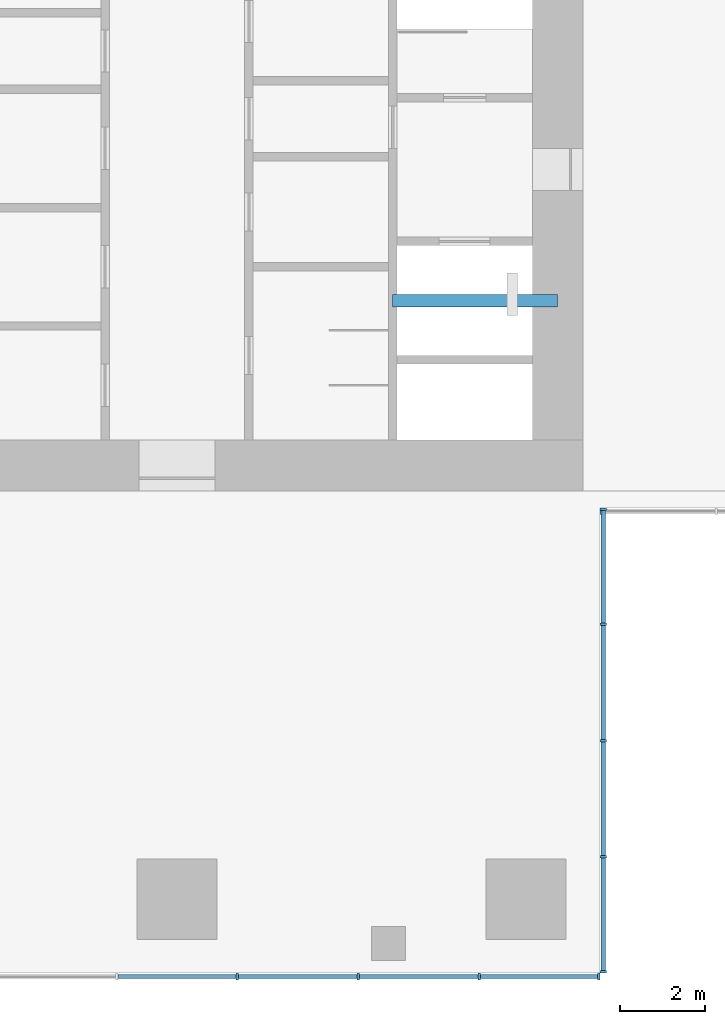
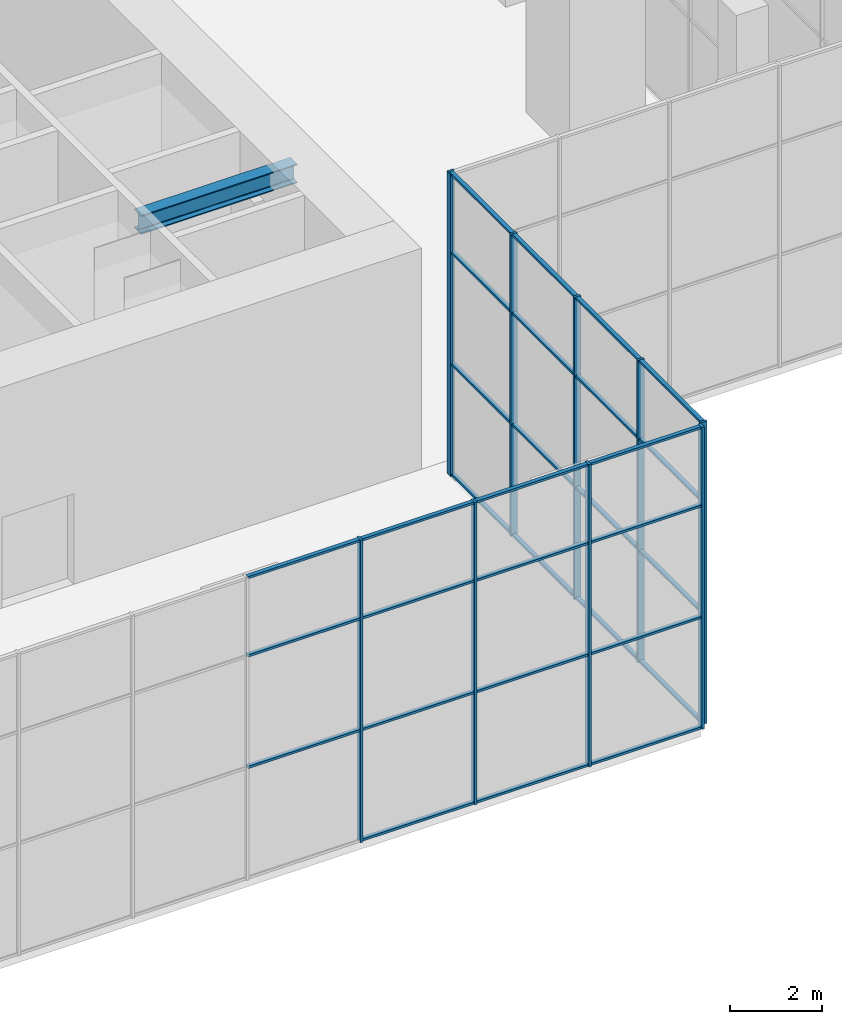
# One storey, part 3 of 12: 41 members, 1 beam, 3 elements without a shape of their own.
"""IFC4 building model written with IfcOpenShell, lengths in metres."""

from ifc_helpers import new_model, si_unit, direction, frame, origin, origin_2d, place, context, subcontext, project, spatial, rectangle, i_section, extrude, material, material_profile, profile_set, type_object, element, aggregate, save


model = new_model("IFC4")

# Units and contexts
model_context = context("Model", 3, precision=1e-05, world=origin(), true_north=direction((0.0, 1.0)))
body_context = subcontext(model_context, "Body", "Model", "MODEL_VIEW")
ifc_project = project(units=[si_unit("LENGTHUNIT", "METRE"), si_unit("AREAUNIT", "SQUARE_METRE"), si_unit("VOLUMEUNIT", "CUBIC_METRE"), si_unit("PLANEANGLEUNIT", "RADIAN"), si_unit("MASSUNIT", "GRAM", prefix="KILO")], contexts=[model_context])

# Site, building, storey
site_placement = place(None, origin())
site = spatial("IfcSite", under=ifc_project, at=site_placement, CompositionType="ELEMENT")
building_placement = place(site_placement, origin())
building = spatial("IfcBuilding", under=site, at=building_placement, Name="Svetlomir Tower", CompositionType="ELEMENT")
storey_placement = place(building_placement, frame((0.0, 0.0, 283.89990234375)))
storey = spatial("IfcBuildingStorey", under=building, at=storey_placement, Name="L67", CompositionType="ELEMENT", Elevation=283.89990234375)

# Curtain wall, members
ifc_material_1 = material(Name="Bronze anodised aluminium curtain wall", Category="aluminium")
curtain_wall_type = type_object("IfcCurtainWallType", Name="CURTAIN WALL CW6 LANTERN", PredefinedType="NOTDEFINED", material=ifc_material_1)
curtain_wall_1_placement = place(storey_placement, origin())
curtain_wall_1 = element("IfcCurtainWall", 1, at=curtain_wall_1_placement, inside=storey, type_object=curtain_wall_type, Name="Curtain wall CW6 L67", PredefinedType="NOTDEFINED")
ifc_material_2 = material(Name="Bronze anodised aluminium", Category="aluminium")
ifc_material_profile_1 = material_profile(ifc_material_2, rectangle(XDim=0.06005859375, YDim=0.159912109375, at=origin_2d()), Name="AL 60x160")
ifc_profile_set_1 = profile_set([ifc_material_profile_1], Name="Bronze anodised aluminium 6063-T6")
member_type_1 = type_object("IfcMemberType", Name="CW6 MULLION 60x160", PredefinedType="MULLION", material=ifc_profile_set_1)
member_1_placement = place(storey_placement, frame((22.428466796875, -0.080078125, 0.0), z_axis=(0.0, 0.0, 1.0), x_axis=(1.0, 0.0, 0.0)))
member_1 = element("IfcMember", 2, at=member_1_placement, type_object=member_type_1, Name="CW6 mullion 5", PredefinedType="MULLION", context=body_context, shape_type="SweptSolid", body=[
    extrude(rectangle(XDim=0.06005859375, YDim=0.159912109375, at=origin_2d()), origin(), (0.0, 0.0, 1.0), 8.0),
])
member_2_placement = place(storey_placement, frame((25.28564453125, -0.080078125, 0.0), z_axis=(0.0, 0.0, 1.0), x_axis=(1.0, 0.0, 0.0)))
member_2 = element("IfcMember", 3, at=member_2_placement, type_object=member_type_1, Name="CW6 mullion 6", PredefinedType="MULLION", context=body_context, shape_type="SweptSolid", body=[
    extrude(rectangle(XDim=0.06005859375, YDim=0.159912109375, at=origin_2d()), origin(), (0.0, 0.0, 1.0), 8.0),
])
member_3_placement = place(storey_placement, frame((28.142822265625, -0.080078125, 0.0), z_axis=(0.0, 0.0, 1.0), x_axis=(1.0, 0.0, 0.0)))
member_3 = element("IfcMember", 4, at=member_3_placement, type_object=member_type_1, Name="CW6 mullion 7", PredefinedType="MULLION", context=body_context, shape_type="SweptSolid", body=[
    extrude(rectangle(XDim=0.06005859375, YDim=0.159912109375, at=origin_2d()), origin(), (0.0, 0.0, 1.0), 8.0),
])
member_4_placement = place(storey_placement, frame((30.969970703125, -0.080078125, 0.0), z_axis=(0.0, 0.0, 1.0), x_axis=(1.0, 0.0, 0.0)))
member_4 = element("IfcMember", 5, at=member_4_placement, type_object=member_type_1, Name="CW6 mullion 8", PredefinedType="MULLION", context=body_context, shape_type="SweptSolid", body=[
    extrude(rectangle(XDim=0.06005859375, YDim=0.159912109375, at=origin_2d()), origin(), (0.0, 0.0, 1.0), 8.0),
])

curtain_wall_2_placement = place(storey_placement, origin())
curtain_wall_2 = element("IfcCurtainWall", 6, at=curtain_wall_2_placement, inside=storey, type_object=curtain_wall_type, Name="Curtain wall CW6 L67", PredefinedType="NOTDEFINED")
member_5_placement = place(storey_placement, frame((31.080078125, 0.030029296875, 0.0), z_axis=(0.0, 0.0, 1.0), x_axis=(0.0, 1.0, 0.0)))
member_5 = element("IfcMember", 7, at=member_5_placement, type_object=member_type_1, Name="CW6 mullion 1", PredefinedType="MULLION", context=body_context, shape_type="SweptSolid", body=[
    extrude(rectangle(XDim=0.06005859375, YDim=0.159912109375, at=origin_2d()), origin(), (0.0, 0.0, 1.0), 8.0),
])
member_6_placement = place(storey_placement, frame((31.080078125, 2.75, 0.0), z_axis=(0.0, 0.0, 1.0), x_axis=(0.0, 1.0, 0.0)))
member_6 = element("IfcMember", 8, at=member_6_placement, type_object=member_type_1, Name="CW6 mullion 2", PredefinedType="MULLION", context=body_context, shape_type="SweptSolid", body=[
    extrude(rectangle(XDim=0.06005859375, YDim=0.159912109375, at=origin_2d()), origin(), (0.0, 0.0, 1.0), 8.0),
])
member_7_placement = place(storey_placement, frame((31.080078125, 5.5, 0.0), z_axis=(0.0, 0.0, 1.0), x_axis=(0.0, 1.0, 0.0)))
member_7 = element("IfcMember", 9, at=member_7_placement, type_object=member_type_1, Name="CW6 mullion 3", PredefinedType="MULLION", context=body_context, shape_type="SweptSolid", body=[
    extrude(rectangle(XDim=0.06005859375, YDim=0.159912109375, at=origin_2d()), origin(), (0.0, 0.0, 1.0), 8.0),
])
member_8_placement = place(storey_placement, frame((31.080078125, 8.25, 0.0), z_axis=(0.0, 0.0, 1.0), x_axis=(0.0, 1.0, 0.0)))
member_8 = element("IfcMember", 10, at=member_8_placement, type_object=member_type_1, Name="CW6 mullion 4", PredefinedType="MULLION", context=body_context, shape_type="SweptSolid", body=[
    extrude(rectangle(XDim=0.06005859375, YDim=0.159912109375, at=origin_2d()), origin(), (0.0, 0.0, 1.0), 8.0),
])
member_9_placement = place(storey_placement, frame((31.080078125, 10.969970703125, 0.0), z_axis=(0.0, 0.0, 1.0), x_axis=(0.0, 1.0, 0.0)))
member_9 = element("IfcMember", 11, at=member_9_placement, type_object=member_type_1, Name="CW6 mullion 5", PredefinedType="MULLION", context=body_context, shape_type="SweptSolid", body=[
    extrude(rectangle(XDim=0.06005859375, YDim=0.159912109375, at=origin_2d()), origin(), (0.0, 0.0, 1.0), 8.0),
])

# Curtain wall, member
curtain_wall_3_placement = place(storey_placement, origin())
curtain_wall_3 = element("IfcCurtainWall", 12, at=curtain_wall_3_placement, inside=storey, type_object=curtain_wall_type, Name="Curtain wall CW6 L67", PredefinedType="NOTDEFINED")
member_10_placement = place(storey_placement, frame((31.030029296875, 10.919921875, 0.0), z_axis=(0.0, 0.0, 1.0), x_axis=(1.0, 0.0, 0.0)))
member_10 = element("IfcMember", 13, at=member_10_placement, type_object=member_type_1, Name="CW6 mullion 1", PredefinedType="MULLION", context=body_context, shape_type="SweptSolid", body=[
    extrude(rectangle(XDim=0.06005859375, YDim=0.159912109375, at=origin_2d()), origin(), (0.0, 0.0, 1.0), 8.0),
])
aggregate(curtain_wall_3, [member_10])

# Member
ifc_material_3 = material(Name="Bronze anodised aluminium", Category="aluminium")
ifc_material_profile_2 = material_profile(ifc_material_3, rectangle(XDim=0.10009765625, YDim=0.06005859375, at=origin_2d()), Name="AL 100x60")
ifc_profile_set_2 = profile_set([ifc_material_profile_2], Name="Bronze anodised aluminium 6063-T6")
member_type_2 = type_object("IfcMemberType", Name="CW6 TRANSOM 60x100", PredefinedType="USERDEFINED", material=ifc_profile_set_2)
member_11_placement = place(storey_placement, frame((19.601318359375, -0.080078125, 2.9501953125), z_axis=(1.0, 0.0, 0.0), x_axis=(0.0, 1.0, 0.0)))
member_11 = element("IfcMember", 14, at=member_11_placement, type_object=member_type_2, Name="CW6 transom 4.2", ObjectType="TRANSOM", PredefinedType="USERDEFINED", context=body_context, shape_type="SweptSolid", body=[
    extrude(rectangle(XDim=0.10009765625, YDim=0.06005859375, at=origin_2d()), origin(), (0.0, 0.0, 1.0), 2.79736328125),
])

member_12_placement = place(storey_placement, frame((19.601318359375, -0.080078125, 5.900146484375), z_axis=(1.0, 0.0, 0.0), x_axis=(0.0, 1.0, 0.0)))
member_12 = element("IfcMember", 15, at=member_12_placement, type_object=member_type_2, Name="CW6 transom 4.3", ObjectType="TRANSOM", PredefinedType="USERDEFINED", context=body_context, shape_type="SweptSolid", body=[
    extrude(rectangle(XDim=0.10009765625, YDim=0.06005859375, at=origin_2d()), origin(), (0.0, 0.0, 1.0), 2.79736328125),
])

member_13_placement = place(storey_placement, frame((19.601318359375, -0.080078125, 7.97021484375), z_axis=(1.0, 0.0, 0.0), x_axis=(0.0, 1.0, 0.0)))
member_13 = element("IfcMember", 16, at=member_13_placement, type_object=member_type_2, Name="CW6 transom 4.4", ObjectType="TRANSOM", PredefinedType="USERDEFINED", context=body_context, shape_type="SweptSolid", body=[
    extrude(rectangle(XDim=0.10009765625, YDim=0.06005859375, at=origin_2d()), origin(), (0.0, 0.0, 1.0), 2.79736328125),
])

member_14_placement = place(storey_placement, frame((22.45849609375, -0.080078125, 0.030029296875), z_axis=(1.0, 0.0, 0.0), x_axis=(0.0, 1.0, 0.0)))
member_14 = element("IfcMember", 17, at=member_14_placement, type_object=member_type_2, Name="CW6 transom 5.1", ObjectType="TRANSOM", PredefinedType="USERDEFINED", context=body_context, shape_type="SweptSolid", body=[
    extrude(rectangle(XDim=0.10009765625, YDim=0.06005859375, at=origin_2d()), origin(), (0.0, 0.0, 1.0), 2.797119140625),
])

member_15_placement = place(storey_placement, frame((22.45849609375, -0.080078125, 2.9501953125), z_axis=(1.0, 0.0, 0.0), x_axis=(0.0, 1.0, 0.0)))
member_15 = element("IfcMember", 18, at=member_15_placement, type_object=member_type_2, Name="CW6 transom 5.2", ObjectType="TRANSOM", PredefinedType="USERDEFINED", context=body_context, shape_type="SweptSolid", body=[
    extrude(rectangle(XDim=0.10009765625, YDim=0.06005859375, at=origin_2d()), origin(), (0.0, 0.0, 1.0), 2.797119140625),
])

member_16_placement = place(storey_placement, frame((22.45849609375, -0.080078125, 5.900146484375), z_axis=(1.0, 0.0, 0.0), x_axis=(0.0, 1.0, 0.0)))
member_16 = element("IfcMember", 19, at=member_16_placement, type_object=member_type_2, Name="CW6 transom 5.3", ObjectType="TRANSOM", PredefinedType="USERDEFINED", context=body_context, shape_type="SweptSolid", body=[
    extrude(rectangle(XDim=0.10009765625, YDim=0.06005859375, at=origin_2d()), origin(), (0.0, 0.0, 1.0), 2.797119140625),
])

member_17_placement = place(storey_placement, frame((22.45849609375, -0.080078125, 7.97021484375), z_axis=(1.0, 0.0, 0.0), x_axis=(0.0, 1.0, 0.0)))
member_17 = element("IfcMember", 20, at=member_17_placement, type_object=member_type_2, Name="CW6 transom 5.4", ObjectType="TRANSOM", PredefinedType="USERDEFINED", context=body_context, shape_type="SweptSolid", body=[
    extrude(rectangle(XDim=0.10009765625, YDim=0.06005859375, at=origin_2d()), origin(), (0.0, 0.0, 1.0), 2.797119140625),
])

member_18_placement = place(storey_placement, frame((25.315673828125, -0.080078125, 0.030029296875), z_axis=(1.0, 0.0, 0.0), x_axis=(0.0, 1.0, 0.0)))
member_18 = element("IfcMember", 21, at=member_18_placement, type_object=member_type_2, Name="CW6 transom 6.1", ObjectType="TRANSOM", PredefinedType="USERDEFINED", context=body_context, shape_type="SweptSolid", body=[
    extrude(rectangle(XDim=0.10009765625, YDim=0.06005859375, at=origin_2d()), origin(), (0.0, 0.0, 1.0), 2.797119140625),
])

member_19_placement = place(storey_placement, frame((25.315673828125, -0.080078125, 2.9501953125), z_axis=(1.0, 0.0, 0.0), x_axis=(0.0, 1.0, 0.0)))
member_19 = element("IfcMember", 22, at=member_19_placement, type_object=member_type_2, Name="CW6 transom 6.2", ObjectType="TRANSOM", PredefinedType="USERDEFINED", context=body_context, shape_type="SweptSolid", body=[
    extrude(rectangle(XDim=0.10009765625, YDim=0.06005859375, at=origin_2d()), origin(), (0.0, 0.0, 1.0), 2.797119140625),
])

member_20_placement = place(storey_placement, frame((25.315673828125, -0.080078125, 5.900146484375), z_axis=(1.0, 0.0, 0.0), x_axis=(0.0, 1.0, 0.0)))
member_20 = element("IfcMember", 23, at=member_20_placement, type_object=member_type_2, Name="CW6 transom 6.3", ObjectType="TRANSOM", PredefinedType="USERDEFINED", context=body_context, shape_type="SweptSolid", body=[
    extrude(rectangle(XDim=0.10009765625, YDim=0.06005859375, at=origin_2d()), origin(), (0.0, 0.0, 1.0), 2.797119140625),
])

member_21_placement = place(storey_placement, frame((25.315673828125, -0.080078125, 7.97021484375), z_axis=(1.0, 0.0, 0.0), x_axis=(0.0, 1.0, 0.0)))
member_21 = element("IfcMember", 24, at=member_21_placement, type_object=member_type_2, Name="CW6 transom 6.4", ObjectType="TRANSOM", PredefinedType="USERDEFINED", context=body_context, shape_type="SweptSolid", body=[
    extrude(rectangle(XDim=0.10009765625, YDim=0.06005859375, at=origin_2d()), origin(), (0.0, 0.0, 1.0), 2.797119140625),
])

member_22_placement = place(storey_placement, frame((28.1728515625, -0.080078125, 0.030029296875), z_axis=(1.0, 0.0, 0.0), x_axis=(0.0, 1.0, 0.0)))
member_22 = element("IfcMember", 25, at=member_22_placement, type_object=member_type_2, Name="CW6 transom 7.1", ObjectType="TRANSOM", PredefinedType="USERDEFINED", context=body_context, shape_type="SweptSolid", body=[
    extrude(rectangle(XDim=0.10009765625, YDim=0.06005859375, at=origin_2d()), origin(), (0.0, 0.0, 1.0), 2.76708984375),
])

member_23_placement = place(storey_placement, frame((28.1728515625, -0.080078125, 2.9501953125), z_axis=(1.0, 0.0, 0.0), x_axis=(0.0, 1.0, 0.0)))
member_23 = element("IfcMember", 26, at=member_23_placement, type_object=member_type_2, Name="CW6 transom 7.2", ObjectType="TRANSOM", PredefinedType="USERDEFINED", context=body_context, shape_type="SweptSolid", body=[
    extrude(rectangle(XDim=0.10009765625, YDim=0.06005859375, at=origin_2d()), origin(), (0.0, 0.0, 1.0), 2.76708984375),
])

member_24_placement = place(storey_placement, frame((28.1728515625, -0.080078125, 5.900146484375), z_axis=(1.0, 0.0, 0.0), x_axis=(0.0, 1.0, 0.0)))
member_24 = element("IfcMember", 27, at=member_24_placement, type_object=member_type_2, Name="CW6 transom 7.3", ObjectType="TRANSOM", PredefinedType="USERDEFINED", context=body_context, shape_type="SweptSolid", body=[
    extrude(rectangle(XDim=0.10009765625, YDim=0.06005859375, at=origin_2d()), origin(), (0.0, 0.0, 1.0), 2.76708984375),
])

member_25_placement = place(storey_placement, frame((28.1728515625, -0.080078125, 7.97021484375), z_axis=(1.0, 0.0, 0.0), x_axis=(0.0, 1.0, 0.0)))
member_25 = element("IfcMember", 28, at=member_25_placement, type_object=member_type_2, Name="CW6 transom 7.4", ObjectType="TRANSOM", PredefinedType="USERDEFINED", context=body_context, shape_type="SweptSolid", body=[
    extrude(rectangle(XDim=0.10009765625, YDim=0.06005859375, at=origin_2d()), origin(), (0.0, 0.0, 1.0), 2.76708984375),
])

aggregate(curtain_wall_1, [member_1, member_2, member_3, member_4, member_11, member_12, member_13, member_14, member_15, member_16, member_17, member_18, member_19, member_20, member_21, member_22, member_23, member_24, member_25])

member_26_placement = place(storey_placement, frame((31.080078125, 0.06005859375, 0.030029296875), z_axis=(0.0, 1.0, 0.0), x_axis=(-1.0, 0.0, 0.0)))
member_26 = element("IfcMember", 29, at=member_26_placement, type_object=member_type_2, Name="CW6 transom 1.1", ObjectType="TRANSOM", PredefinedType="USERDEFINED", context=body_context, shape_type="SweptSolid", body=[
    extrude(rectangle(XDim=0.10009765625, YDim=0.06005859375, at=origin_2d()), origin(), (0.0, 0.0, 1.0), 2.659912109375),
])

member_27_placement = place(storey_placement, frame((31.080078125, 0.06005859375, 2.9501953125), z_axis=(0.0, 1.0, 0.0), x_axis=(-1.0, 0.0, 0.0)))
member_27 = element("IfcMember", 30, at=member_27_placement, type_object=member_type_2, Name="CW6 transom 1.2", ObjectType="TRANSOM", PredefinedType="USERDEFINED", context=body_context, shape_type="SweptSolid", body=[
    extrude(rectangle(XDim=0.10009765625, YDim=0.06005859375, at=origin_2d()), origin(), (0.0, 0.0, 1.0), 2.659912109375),
])

member_28_placement = place(storey_placement, frame((31.080078125, 0.06005859375, 5.900146484375), z_axis=(0.0, 1.0, 0.0), x_axis=(-1.0, 0.0, 0.0)))
member_28 = element("IfcMember", 31, at=member_28_placement, type_object=member_type_2, Name="CW6 transom 1.3", ObjectType="TRANSOM", PredefinedType="USERDEFINED", context=body_context, shape_type="SweptSolid", body=[
    extrude(rectangle(XDim=0.10009765625, YDim=0.06005859375, at=origin_2d()), origin(), (0.0, 0.0, 1.0), 2.659912109375),
])

member_29_placement = place(storey_placement, frame((31.080078125, 0.06005859375, 7.97021484375), z_axis=(0.0, 1.0, 0.0), x_axis=(-1.0, 0.0, 0.0)))
member_29 = element("IfcMember", 32, at=member_29_placement, type_object=member_type_2, Name="CW6 transom 1.4", ObjectType="TRANSOM", PredefinedType="USERDEFINED", context=body_context, shape_type="SweptSolid", body=[
    extrude(rectangle(XDim=0.10009765625, YDim=0.06005859375, at=origin_2d()), origin(), (0.0, 0.0, 1.0), 2.659912109375),
])

member_30_placement = place(storey_placement, frame((31.080078125, 2.780029296875, 0.030029296875), z_axis=(0.0, 1.0, 0.0), x_axis=(-1.0, 0.0, 0.0)))
member_30 = element("IfcMember", 33, at=member_30_placement, type_object=member_type_2, Name="CW6 transom 2.1", ObjectType="TRANSOM", PredefinedType="USERDEFINED", context=body_context, shape_type="SweptSolid", body=[
    extrude(rectangle(XDim=0.10009765625, YDim=0.06005859375, at=origin_2d()), origin(), (0.0, 0.0, 1.0), 2.68994140625),
])

member_31_placement = place(storey_placement, frame((31.080078125, 2.780029296875, 2.9501953125), z_axis=(0.0, 1.0, 0.0), x_axis=(-1.0, 0.0, 0.0)))
member_31 = element("IfcMember", 34, at=member_31_placement, type_object=member_type_2, Name="CW6 transom 2.2", ObjectType="TRANSOM", PredefinedType="USERDEFINED", context=body_context, shape_type="SweptSolid", body=[
    extrude(rectangle(XDim=0.10009765625, YDim=0.06005859375, at=origin_2d()), origin(), (0.0, 0.0, 1.0), 2.68994140625),
])

member_32_placement = place(storey_placement, frame((31.080078125, 2.780029296875, 5.900146484375), z_axis=(0.0, 1.0, 0.0), x_axis=(-1.0, 0.0, 0.0)))
member_32 = element("IfcMember", 35, at=member_32_placement, type_object=member_type_2, Name="CW6 transom 2.3", ObjectType="TRANSOM", PredefinedType="USERDEFINED", context=body_context, shape_type="SweptSolid", body=[
    extrude(rectangle(XDim=0.10009765625, YDim=0.06005859375, at=origin_2d()), origin(), (0.0, 0.0, 1.0), 2.68994140625),
])

member_33_placement = place(storey_placement, frame((31.080078125, 2.780029296875, 7.97021484375), z_axis=(0.0, 1.0, 0.0), x_axis=(-1.0, 0.0, 0.0)))
member_33 = element("IfcMember", 36, at=member_33_placement, type_object=member_type_2, Name="CW6 transom 2.4", ObjectType="TRANSOM", PredefinedType="USERDEFINED", context=body_context, shape_type="SweptSolid", body=[
    extrude(rectangle(XDim=0.10009765625, YDim=0.06005859375, at=origin_2d()), origin(), (0.0, 0.0, 1.0), 2.68994140625),
])

member_34_placement = place(storey_placement, frame((31.080078125, 5.530029296875, 0.030029296875), z_axis=(0.0, 1.0, 0.0), x_axis=(-1.0, 0.0, 0.0)))
member_34 = element("IfcMember", 37, at=member_34_placement, type_object=member_type_2, Name="CW6 transom 3.1", ObjectType="TRANSOM", PredefinedType="USERDEFINED", context=body_context, shape_type="SweptSolid", body=[
    extrude(rectangle(XDim=0.10009765625, YDim=0.06005859375, at=origin_2d()), origin(), (0.0, 0.0, 1.0), 2.68994140625),
])

member_35_placement = place(storey_placement, frame((31.080078125, 5.530029296875, 2.9501953125), z_axis=(0.0, 1.0, 0.0), x_axis=(-1.0, 0.0, 0.0)))
member_35 = element("IfcMember", 38, at=member_35_placement, type_object=member_type_2, Name="CW6 transom 3.2", ObjectType="TRANSOM", PredefinedType="USERDEFINED", context=body_context, shape_type="SweptSolid", body=[
    extrude(rectangle(XDim=0.10009765625, YDim=0.06005859375, at=origin_2d()), origin(), (0.0, 0.0, 1.0), 2.68994140625),
])

member_36_placement = place(storey_placement, frame((31.080078125, 5.530029296875, 5.900146484375), z_axis=(0.0, 1.0, 0.0), x_axis=(-1.0, 0.0, 0.0)))
member_36 = element("IfcMember", 39, at=member_36_placement, type_object=member_type_2, Name="CW6 transom 3.3", ObjectType="TRANSOM", PredefinedType="USERDEFINED", context=body_context, shape_type="SweptSolid", body=[
    extrude(rectangle(XDim=0.10009765625, YDim=0.06005859375, at=origin_2d()), origin(), (0.0, 0.0, 1.0), 2.68994140625),
])

member_37_placement = place(storey_placement, frame((31.080078125, 5.530029296875, 7.97021484375), z_axis=(0.0, 1.0, 0.0), x_axis=(-1.0, 0.0, 0.0)))
member_37 = element("IfcMember", 40, at=member_37_placement, type_object=member_type_2, Name="CW6 transom 3.4", ObjectType="TRANSOM", PredefinedType="USERDEFINED", context=body_context, shape_type="SweptSolid", body=[
    extrude(rectangle(XDim=0.10009765625, YDim=0.06005859375, at=origin_2d()), origin(), (0.0, 0.0, 1.0), 2.68994140625),
])

member_38_placement = place(storey_placement, frame((31.080078125, 8.280029296875, 0.030029296875), z_axis=(0.0, 1.0, 0.0), x_axis=(-1.0, 0.0, 0.0)))
member_38 = element("IfcMember", 41, at=member_38_placement, type_object=member_type_2, Name="CW6 transom 4.1", ObjectType="TRANSOM", PredefinedType="USERDEFINED", context=body_context, shape_type="SweptSolid", body=[
    extrude(rectangle(XDim=0.10009765625, YDim=0.06005859375, at=origin_2d()), origin(), (0.0, 0.0, 1.0), 2.659912109375),
])

member_39_placement = place(storey_placement, frame((31.080078125, 8.280029296875, 2.9501953125), z_axis=(0.0, 1.0, 0.0), x_axis=(-1.0, 0.0, 0.0)))
member_39 = element("IfcMember", 42, at=member_39_placement, type_object=member_type_2, Name="CW6 transom 4.2", ObjectType="TRANSOM", PredefinedType="USERDEFINED", context=body_context, shape_type="SweptSolid", body=[
    extrude(rectangle(XDim=0.10009765625, YDim=0.06005859375, at=origin_2d()), origin(), (0.0, 0.0, 1.0), 2.659912109375),
])

member_40_placement = place(storey_placement, frame((31.080078125, 8.280029296875, 5.900146484375), z_axis=(0.0, 1.0, 0.0), x_axis=(-1.0, 0.0, 0.0)))
member_40 = element("IfcMember", 43, at=member_40_placement, type_object=member_type_2, Name="CW6 transom 4.3", ObjectType="TRANSOM", PredefinedType="USERDEFINED", context=body_context, shape_type="SweptSolid", body=[
    extrude(rectangle(XDim=0.10009765625, YDim=0.06005859375, at=origin_2d()), origin(), (0.0, 0.0, 1.0), 2.659912109375),
])

member_41_placement = place(storey_placement, frame((31.080078125, 8.280029296875, 7.97021484375), z_axis=(0.0, 1.0, 0.0), x_axis=(-1.0, 0.0, 0.0)))
member_41 = element("IfcMember", 44, at=member_41_placement, type_object=member_type_2, Name="CW6 transom 4.4", ObjectType="TRANSOM", PredefinedType="USERDEFINED", context=body_context, shape_type="SweptSolid", body=[
    extrude(rectangle(XDim=0.10009765625, YDim=0.06005859375, at=origin_2d()), origin(), (0.0, 0.0, 1.0), 2.659912109375),
])

aggregate(curtain_wall_2, [member_5, member_6, member_7, member_8, member_9, member_26, member_27, member_28, member_29, member_30, member_31, member_32, member_33, member_34, member_35, member_36, member_37, member_38, member_39, member_40, member_41])

# Beam
ifc_material_4 = material(Name="Steel S355", Category="steel")
ifc_material_profile_3 = material_profile(ifc_material_4, i_section(OverallWidth=0.300048828125, OverallDepth=0.5, WebThickness=0.014404296875, FlangeThickness=0.028076171875, FilletRadius=0.027099609375, at=origin_2d()), Name="HEB 500")
ifc_profile_set_3 = profile_set([ifc_material_profile_3], Name="Steel S355")
beam_type = type_object("IfcBeamType", Name="LIFTING BEAM HEB 500", PredefinedType="BEAM", material=ifc_profile_set_3)
beam_placement = place(storey_placement, frame((26.10009765625, 15.89990234375, 5.400146484375), z_axis=(1.0, 0.0, 0.0), x_axis=(0.0, 1.0, 0.0)))
element("IfcBeam", 45, at=beam_placement, inside=storey, type_object=beam_type, Name="Lifting beam over shaft FL2", PredefinedType="BEAM", context=body_context, shape_type="SweptSolid", body=[
    extrude(i_section(OverallWidth=0.300048828125, OverallDepth=0.5, WebThickness=0.014404296875, FlangeThickness=0.028076171875, FilletRadius=0.027099609375, at=origin_2d()), origin(), (0.0, 0.0, 1.0), 3.89990234375),
])

save(model, "model.ifc")
